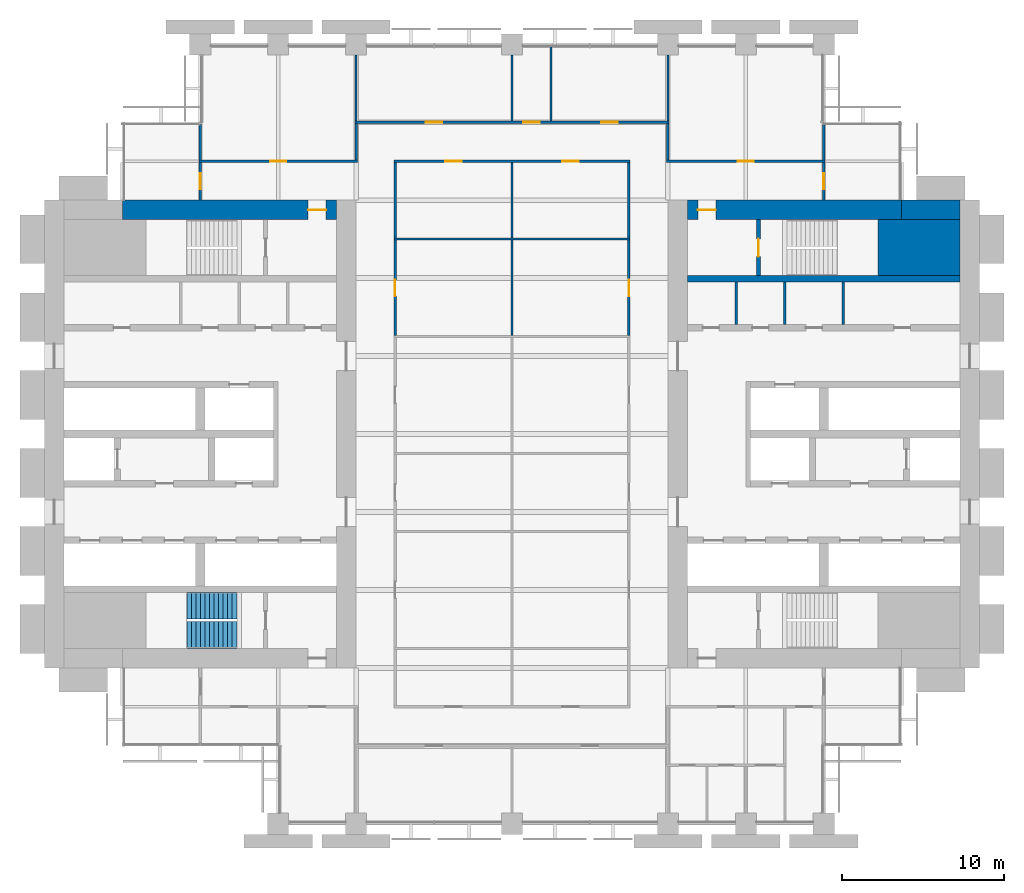
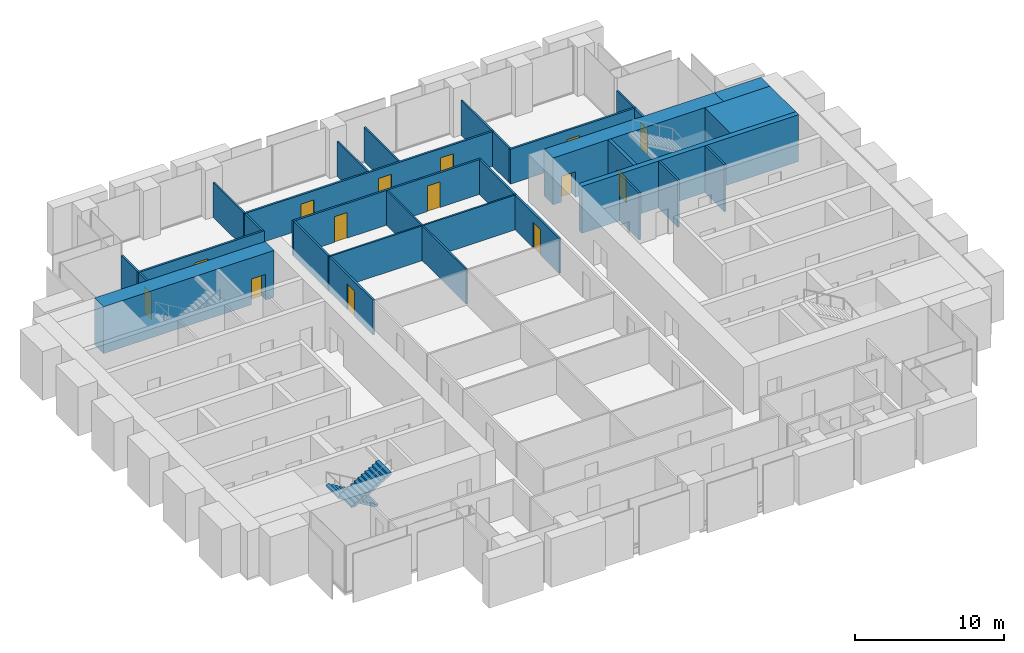
# One storey, part 12 of 14: 30 walls, 14 doors, 2 stair flights, 14 openings, 1 element without a shape of its own.
"""IFC4 building model written with IfcOpenShell, lengths in metres."""

from ifc_helpers import new_model, si_unit, direction, frame, frame_2d, origin, place, context, subcontext, project, spatial, polyline, rectangle, outline, extrude, material, layer, layer_set, type_object, element, fill, aggregate, save


model = new_model("IFC4")

# Units and contexts
model_context = context("Model", 3, precision=1e-05, world=origin(), true_north=direction((0.0, 1.0)))
body_context = subcontext(model_context, "Body", "Model", "MODEL_VIEW")
ifc_project = project(units=[si_unit("LENGTHUNIT", "METRE"), si_unit("AREAUNIT", "SQUARE_METRE"), si_unit("VOLUMEUNIT", "CUBIC_METRE"), si_unit("PLANEANGLEUNIT", "RADIAN"), si_unit("MASSUNIT", "GRAM", prefix="KILO")], contexts=[model_context])

# Site, building, storey
site_placement = place(None, origin())
site = spatial("IfcSite", under=ifc_project, at=site_placement, CompositionType="ELEMENT")
building_placement = place(site_placement, origin())
building = spatial("IfcBuilding", under=site, at=building_placement, Name="Baori Bourse Tower", CompositionType="ELEMENT")
storey_placement = place(building_placement, frame((0.0, 0.0, 55.0)))
storey = spatial("IfcBuildingStorey", under=building, at=storey_placement, Name="L11", CompositionType="ELEMENT", Elevation=55.0)

# Walls
ifc_material_1 = material(Name="Concrete f'c 70 MPa", Category="concrete")
wall_type_1 = type_object("IfcWallType", Name="Core corner block f'c 70", PredefinedType="SHEAR", material=ifc_material_1)
wall_1_placement = place(storey_placement, frame((51.35009765625, 35.47509765625, 0.0), z_axis=(0.0, 0.0, 1.0), x_axis=(1.0, 0.0, 0.0)))
element("IfcWall", 1, at=wall_1_placement, inside=storey, type_object=wall_type_1, Name="Core wall E22", PredefinedType="SHEAR", context=body_context, shape_type="SweptSolid", body=[
    extrude(rectangle(XDim=5.0498046875, YDim=3.449951171875, at=frame_2d((2.52490234375, 0.0))), origin(), (0.0, 0.0, 1.0), 3.840087890625),
])
ifc_material_2 = material(Name="Blockwork partition", Category="masonry")
ifc_layer_1 = layer(ifc_material_2, 0.14990234375)
ifc_layer_set_1 = layer_set([ifc_layer_1], Name="Core partition 150")
wall_type_2 = type_object("IfcWallType", Name="Core partition 150", PredefinedType="PARTITIONING", material=ifc_layer_set_1)
for number, where, z_axis, x_axis, name in (
    (2, (49.199951171875, 30.75, 0.0), (0.0, 0.0, 1.0), (0.0, 1.0, 0.0), "Partition wall E18"),
    (3, (45.60009765625, 30.75, 0.0), (0.0, 0.0, 1.0), (0.0, 1.0, 0.0), "Partition wall E19"),
    (4, (42.60009765625, 30.75, 0.0), (0.0, 0.0, 1.0), (0.0, 1.0, 0.0), "Partition wall E20"),
):
    element("IfcWall", number, at=place(storey_placement, frame(where, z_axis=z_axis, x_axis=x_axis)), inside=storey, type_object=wall_type_2, Name=name, PredefinedType="PARTITIONING", context=body_context, shape_type="SweptSolid", body=[
        extrude(rectangle(XDim=2.60009765625, YDim=0.14990234375, at=frame_2d((1.300048828125, 0.0))), origin(), (0.0, 0.0, 1.0), 3.840087890625),
    ])

# Wall, opening, door
ifc_material_3 = material(Name="Concrete f'c 70 MPa", Category="concrete")
ifc_layer_2 = layer(ifc_material_3, 1.199951171875)
ifc_layer_set_2 = layer_set([ifc_layer_2], Name="Core wall 1200 f'c 70")
wall_type_3 = type_object("IfcWallType", Name="Core wall 1200 f'c 70", PredefinedType="SHEAR", material=ifc_layer_set_2)
wall_2_placement = place(storey_placement, frame((4.800048828125, 37.800048828125, 0.0), z_axis=(0.0, 0.0, 1.0), x_axis=(1.0, 0.0, 0.0)))
wall_2 = element("IfcWall", 5, at=wall_2_placement, inside=storey, type_object=wall_type_3, Name="Core wall W25", PredefinedType="SHEAR", context=body_context, shape_type="SweptSolid", body=[
    extrude(rectangle(XDim=13.199951171875, YDim=1.199951171875, at=frame_2d((6.60009765625, 0.0))), origin(), (0.0, 0.0, 1.0), 3.840087890625),
])
opening_1_placement = place(wall_2_placement, frame((11.449951171875, 0.0, 0.0)))
opening_1 = element("IfcOpeningElement", 6, at=opening_1_placement, cuts=wall_2, Name="Opening L11-D104", PredefinedType="OPENING", context=body_context, shape_type="SweptSolid", body=[
    extrude(rectangle(XDim=1.10009765625, YDim=2.10009765625, at=frame_2d((0.550048828125, 1.050048828125))), frame((0.0, 0.60986328125, 0.0), z_axis=(0.0, -1.0, 0.0), x_axis=(1.0, 0.0, 0.0)), (0.0, 0.0, 1.0), 1.219970703125),
])
ifc_material_4 = material(Name="Painted steel door", Category="steel")
door_type_1 = type_object("IfcDoorType", Name="Stair door 1100", OperationType="SINGLE_SWING_LEFT", PredefinedType="DOOR", material=ifc_material_4)
door_1_placement = place(opening_1_placement, origin())
door_1 = element("IfcDoor", 7, at=door_1_placement, inside=storey, type_object=door_type_1, Name="Stair vestibule door B W L11", OperationType="SINGLE_SWING_LEFT", OverallHeight=2.10009765625, OverallWidth=1.10009765625, PredefinedType="DOOR", context=body_context, shape_type="SweptSolid", body=[
    extrude(rectangle(XDim=1.10009765625, YDim=2.10009765625, at=frame_2d((0.550048828125, 1.050048828125))), frame((0.0, 0.02490234375, 0.0), z_axis=(0.0, -1.0, 0.0), x_axis=(1.0, 0.0, 0.0)), (0.0, 0.0, 1.0), 0.050048828125),
])
fill(opening_1, door_1)

# Wall
wall_3_placement = place(storey_placement, frame((52.800048828125, 37.800048828125, 0.0), z_axis=(0.0, 0.0, 1.0), x_axis=(1.0, 0.0, 0.0)))
element("IfcWall", 8, at=wall_3_placement, inside=storey, type_object=wall_type_3, Name="Core wall E24", PredefinedType="SHEAR", context=body_context, shape_type="SweptSolid", body=[
    extrude(rectangle(XDim=3.599853515625, YDim=1.199951171875, at=frame_2d((1.7998046875, 0.0))), origin(), (0.0, 0.0, 1.0), 3.840087890625),
])

# Wall, opening, door
wall_4_placement = place(storey_placement, frame((39.60009765625, 37.800048828125, 0.0), z_axis=(0.0, 0.0, 1.0), x_axis=(1.0, 0.0, 0.0)))
wall_4 = element("IfcWall", 9, at=wall_4_placement, inside=storey, type_object=wall_type_3, Name="Core wall E25", PredefinedType="SHEAR", context=body_context, shape_type="SweptSolid", body=[
    extrude(rectangle(XDim=13.199951171875, YDim=1.199951171875, at=frame_2d((6.60009765625, 0.0))), origin(), (0.0, 0.0, 1.0), 3.840087890625),
])
opening_2_placement = place(wall_4_placement, frame((0.64990234375, 0.0, 0.0)))
opening_2 = element("IfcOpeningElement", 10, at=opening_2_placement, cuts=wall_4, Name="Opening L11-D204", PredefinedType="OPENING", context=body_context, shape_type="SweptSolid", body=[
    extrude(rectangle(XDim=1.10009765625, YDim=2.10009765625, at=frame_2d((0.550048828125, 1.050048828125))), frame((0.0, 0.60986328125, 0.0), z_axis=(0.0, -1.0, 0.0), x_axis=(1.0, 0.0, 0.0)), (0.0, 0.0, 1.0), 1.219970703125),
])
door_2_placement = place(opening_2_placement, origin())
door_2 = element("IfcDoor", 11, at=door_2_placement, inside=storey, type_object=door_type_1, Name="Stair vestibule door B E L11", OperationType="SINGLE_SWING_LEFT", OverallHeight=2.10009765625, OverallWidth=1.10009765625, PredefinedType="DOOR", context=body_context, shape_type="SweptSolid", body=[
    extrude(rectangle(XDim=1.10009765625, YDim=2.10009765625, at=frame_2d((0.550048828125, 1.050048828125))), frame((0.0, 0.02490234375, 0.0), z_axis=(0.0, -1.0, 0.0), x_axis=(1.0, 0.0, 0.0)), (0.0, 0.0, 1.0), 0.050048828125),
])
fill(opening_2, door_2)

ifc_material_5 = material(Name="Gypsum board partition")
ifc_layer_3 = layer(ifc_material_5, 0.14990234375)
ifc_layer_set_3 = layer_set([ifc_layer_3], Name="Corridor partition 150")
wall_type_4 = type_object("IfcWallType", Name="Corridor partition 150", PredefinedType="PARTITIONING", material=ifc_layer_set_3)
wall_5_placement = place(storey_placement, frame((9.52490234375, 40.800048828125, 0.0), z_axis=(0.0, 0.0, 1.0), x_axis=(1.0, 0.0, 0.0)))
wall_5 = element("IfcWall", 12, at=wall_5_placement, inside=storey, type_object=wall_type_4, Name="Partition", PredefinedType="PARTITIONING", context=body_context, shape_type="SweptSolid", body=[
    extrude(rectangle(XDim=9.75, YDim=0.14990234375, at=frame_2d((4.875, 0.0))), origin(), (0.0, 0.0, 1.0), 2.849365234375),
])
opening_3_placement = place(wall_5_placement, frame((4.375, 0.0, 0.0)))
opening_3 = element("IfcOpeningElement", 13, at=opening_3_placement, cuts=wall_5, Name="Opening L11-D12", PredefinedType="OPENING", context=body_context, shape_type="SweptSolid", body=[
    extrude(rectangle(XDim=1.0, YDim=2.10009765625, at=frame_2d((0.5, 1.050048828125))), frame((0.0, 0.0849609375, 0.0), z_axis=(0.0, -1.0, 0.0), x_axis=(1.0, 0.0, 0.0)), (0.0, 0.0, 1.0), 0.169921875),
])
ifc_material_6 = material(Name="Timber door leaf", Category="wood")
door_type_2 = type_object("IfcDoorType", Name="Door 1000 x 2100", OperationType="SINGLE_SWING_LEFT", PredefinedType="DOOR", material=ifc_material_6)
door_3_placement = place(opening_3_placement, origin())
door_3 = element("IfcDoor", 14, at=door_3_placement, inside=storey, type_object=door_type_2, Name="Door", OperationType="SINGLE_SWING_LEFT", OverallHeight=2.10009765625, OverallWidth=1.0, PredefinedType="DOOR", context=body_context, shape_type="SweptSolid", body=[
    extrude(rectangle(XDim=1.0, YDim=2.10009765625, at=frame_2d((0.5, 1.050048828125))), frame((0.0, 0.02490234375, 0.0), z_axis=(0.0, -1.0, 0.0), x_axis=(1.0, 0.0, 0.0)), (0.0, 0.0, 1.0), 0.050048828125),
])
fill(opening_3, door_3)

# Wall, openings, doors
wall_6_placement = place(storey_placement, frame((21.52490234375, 40.800048828125, 0.0), z_axis=(0.0, 0.0, 1.0), x_axis=(1.0, 0.0, 0.0)))
wall_6 = element("IfcWall", 15, at=wall_6_placement, inside=storey, type_object=wall_type_4, Name="Partition", PredefinedType="PARTITIONING", context=body_context, shape_type="SweptSolid", body=[
    extrude(rectangle(XDim=14.550048828125, YDim=0.14990234375, at=frame_2d((7.27490234375, 0.0))), origin(), (0.0, 0.0, 1.0), 2.849365234375),
])
opening_4_placement = place(wall_6_placement, frame((3.175048828125, 0.0, 0.0)))
opening_4 = element("IfcOpeningElement", 16, at=opening_4_placement, cuts=wall_6, Name="Opening L11-D13", PredefinedType="OPENING", context=body_context, shape_type="SweptSolid", body=[
    extrude(rectangle(XDim=1.0, YDim=2.10009765625, at=frame_2d((0.5, 1.050048828125))), frame((0.0, 0.0849609375, 0.0), z_axis=(0.0, -1.0, 0.0), x_axis=(1.0, 0.0, 0.0)), (0.0, 0.0, 1.0), 0.169921875),
])
opening_5_placement = place(wall_6_placement, frame((10.375, 0.0, 0.0)))
opening_5 = element("IfcOpeningElement", 17, at=opening_5_placement, cuts=wall_6, Name="Opening L11-D14", PredefinedType="OPENING", context=body_context, shape_type="SweptSolid", body=[
    extrude(rectangle(XDim=1.0, YDim=2.10009765625, at=frame_2d((0.5, 1.050048828125))), frame((0.0, 0.0849609375, 0.0), z_axis=(0.0, -1.0, 0.0), x_axis=(1.0, 0.0, 0.0)), (0.0, 0.0, 1.0), 0.169921875),
])
door_4_placement = place(opening_4_placement, origin())
door_4 = element("IfcDoor", 18, at=door_4_placement, inside=storey, type_object=door_type_2, Name="Door", OperationType="SINGLE_SWING_LEFT", OverallHeight=2.10009765625, OverallWidth=1.0, PredefinedType="DOOR", context=body_context, shape_type="SweptSolid", body=[
    extrude(rectangle(XDim=1.0, YDim=2.10009765625, at=frame_2d((0.5, 1.050048828125))), frame((0.0, 0.02490234375, 0.0), z_axis=(0.0, -1.0, 0.0), x_axis=(1.0, 0.0, 0.0)), (0.0, 0.0, 1.0), 0.050048828125),
])
fill(opening_4, door_4)
door_5_placement = place(opening_5_placement, origin())
door_5 = element("IfcDoor", 19, at=door_5_placement, inside=storey, type_object=door_type_2, Name="Door", OperationType="SINGLE_SWING_RIGHT", OverallHeight=2.10009765625, OverallWidth=1.0, PredefinedType="DOOR", context=body_context, shape_type="SweptSolid", body=[
    extrude(rectangle(XDim=1.0, YDim=2.10009765625, at=frame_2d((0.5, 1.050048828125))), frame((0.0, 0.02490234375, 0.0), z_axis=(0.0, -1.0, 0.0), x_axis=(1.0, 0.0, 0.0)), (0.0, 0.0, 1.0), 0.050048828125),
])
fill(opening_5, door_5)

# Wall, opening, door
wall_7_placement = place(storey_placement, frame((38.324951171875, 40.800048828125, 0.0), z_axis=(0.0, 0.0, 1.0), x_axis=(1.0, 0.0, 0.0)))
wall_7 = element("IfcWall", 20, at=wall_7_placement, inside=storey, type_object=wall_type_4, Name="Partition", PredefinedType="PARTITIONING", context=body_context, shape_type="SweptSolid", body=[
    extrude(rectangle(XDim=9.75, YDim=0.14990234375, at=frame_2d((4.875, 0.0))), origin(), (0.0, 0.0, 1.0), 2.849365234375),
])
opening_6_placement = place(wall_7_placement, frame((4.375, 0.0, 0.0)))
opening_6 = element("IfcOpeningElement", 21, at=opening_6_placement, cuts=wall_7, Name="Opening L11-D15", PredefinedType="OPENING", context=body_context, shape_type="SweptSolid", body=[
    extrude(rectangle(XDim=1.0, YDim=2.10009765625, at=frame_2d((0.5, 1.050048828125))), frame((0.0, 0.0849609375, 0.0), z_axis=(0.0, -1.0, 0.0), x_axis=(1.0, 0.0, 0.0)), (0.0, 0.0, 1.0), 0.169921875),
])
door_6_placement = place(opening_6_placement, origin())
door_6 = element("IfcDoor", 22, at=door_6_placement, inside=storey, type_object=door_type_2, Name="Door", OperationType="SINGLE_SWING_RIGHT", OverallHeight=2.10009765625, OverallWidth=1.0, PredefinedType="DOOR", context=body_context, shape_type="SweptSolid", body=[
    extrude(rectangle(XDim=1.0, YDim=2.10009765625, at=frame_2d((0.5, 1.050048828125))), frame((0.0, 0.02490234375, 0.0), z_axis=(0.0, -1.0, 0.0), x_axis=(1.0, 0.0, 0.0)), (0.0, 0.0, 1.0), 0.050048828125),
])
fill(opening_6, door_6)

# Wall, openings, doors
wall_8_placement = place(storey_placement, frame((19.125, 43.199951171875, 0.0), z_axis=(0.0, 0.0, 1.0), x_axis=(1.0, 0.0, 0.0)))
wall_8 = element("IfcWall", 23, at=wall_8_placement, inside=storey, type_object=wall_type_4, Name="Partition", PredefinedType="PARTITIONING", context=body_context, shape_type="SweptSolid", body=[
    extrude(rectangle(XDim=19.35009765625, YDim=0.14990234375, at=frame_2d((9.675048828125, 0.0))), origin(), (0.0, 0.0, 1.0), 2.849365234375),
])
opening_7_placement = place(wall_8_placement, frame((4.375, 0.0, 0.0)))
opening_7 = element("IfcOpeningElement", 24, at=opening_7_placement, cuts=wall_8, Name="Opening L11-D16", PredefinedType="OPENING", context=body_context, shape_type="SweptSolid", body=[
    extrude(rectangle(XDim=1.0, YDim=2.10009765625, at=frame_2d((0.5, 1.050048828125))), frame((0.0, 0.0849609375, 0.0), z_axis=(0.0, -1.0, 0.0), x_axis=(1.0, 0.0, 0.0)), (0.0, 0.0, 1.0), 0.169921875),
])
opening_8_placement = place(wall_8_placement, frame((10.375, 0.0, 0.0)))
opening_8 = element("IfcOpeningElement", 25, at=opening_8_placement, cuts=wall_8, Name="Opening L11-D17", PredefinedType="OPENING", context=body_context, shape_type="SweptSolid", body=[
    extrude(rectangle(XDim=1.0, YDim=2.10009765625, at=frame_2d((0.5, 1.050048828125))), frame((0.0, 0.0849609375, 0.0), z_axis=(0.0, -1.0, 0.0), x_axis=(1.0, 0.0, 0.0)), (0.0, 0.0, 1.0), 0.169921875),
])
opening_9_placement = place(wall_8_placement, frame((15.175048828125, 0.0, 0.0)))
opening_9 = element("IfcOpeningElement", 26, at=opening_9_placement, cuts=wall_8, Name="Opening L11-D18", PredefinedType="OPENING", context=body_context, shape_type="SweptSolid", body=[
    extrude(rectangle(XDim=1.0, YDim=2.10009765625, at=frame_2d((0.5, 1.050048828125))), frame((0.0, 0.0849609375, 0.0), z_axis=(0.0, -1.0, 0.0), x_axis=(1.0, 0.0, 0.0)), (0.0, 0.0, 1.0), 0.169921875),
])
door_7_placement = place(opening_7_placement, origin())
door_7 = element("IfcDoor", 27, at=door_7_placement, inside=storey, type_object=door_type_2, Name="Door", OperationType="SINGLE_SWING_RIGHT", OverallHeight=2.10009765625, OverallWidth=1.0, PredefinedType="DOOR", context=body_context, shape_type="SweptSolid", body=[
    extrude(rectangle(XDim=1.0, YDim=2.10009765625, at=frame_2d((0.5, 1.050048828125))), frame((0.0, 0.02490234375, 0.0), z_axis=(0.0, -1.0, 0.0), x_axis=(1.0, 0.0, 0.0)), (0.0, 0.0, 1.0), 0.050048828125),
])
fill(opening_7, door_7)
door_8_placement = place(opening_8_placement, origin())
door_8 = element("IfcDoor", 28, at=door_8_placement, inside=storey, type_object=door_type_2, Name="Door", OperationType="SINGLE_SWING_LEFT", OverallHeight=2.10009765625, OverallWidth=1.0, PredefinedType="DOOR", context=body_context, shape_type="SweptSolid", body=[
    extrude(rectangle(XDim=1.0, YDim=2.10009765625, at=frame_2d((0.5, 1.050048828125))), frame((0.0, 0.02490234375, 0.0), z_axis=(0.0, -1.0, 0.0), x_axis=(1.0, 0.0, 0.0)), (0.0, 0.0, 1.0), 0.050048828125),
])
fill(opening_8, door_8)
door_9_placement = place(opening_9_placement, origin())
door_9 = element("IfcDoor", 29, at=door_9_placement, inside=storey, type_object=door_type_2, Name="Door", OperationType="SINGLE_SWING_LEFT", OverallHeight=2.10009765625, OverallWidth=1.0, PredefinedType="DOOR", context=body_context, shape_type="SweptSolid", body=[
    extrude(rectangle(XDim=1.0, YDim=2.10009765625, at=frame_2d((0.5, 1.050048828125))), frame((0.0, 0.02490234375, 0.0), z_axis=(0.0, -1.0, 0.0), x_axis=(1.0, 0.0, 0.0)), (0.0, 0.0, 1.0), 0.050048828125),
])
fill(opening_9, door_9)

# Wall, opening, door
wall_9_placement = place(storey_placement, frame((9.60009765625, 38.39990234375, 0.0), z_axis=(0.0, 0.0, 1.0), x_axis=(0.0, 1.0, 0.0)))
wall_9 = element("IfcWall", 30, at=wall_9_placement, inside=storey, type_object=wall_type_4, Name="Partition", PredefinedType="PARTITIONING", context=body_context, shape_type="SweptSolid", body=[
    extrude(rectangle(XDim=2.3251953125, YDim=0.14990234375, at=frame_2d((1.16259765625, 0.0))), origin(), (0.0, 0.0, 1.0), 2.849365234375),
])
opening_10_placement = place(wall_9_placement, frame((0.66259765625, 0.0, 0.0)))
opening_10 = element("IfcOpeningElement", 31, at=opening_10_placement, cuts=wall_9, Name="Opening L11-D20", PredefinedType="OPENING", context=body_context, shape_type="SweptSolid", body=[
    extrude(rectangle(XDim=1.0, YDim=2.10009765625, at=frame_2d((0.5, 1.050048828125))), frame((0.0, 0.0849609375, 0.0), z_axis=(0.0, -1.0, 0.0), x_axis=(1.0, 0.0, 0.0)), (0.0, 0.0, 1.0), 0.169921875),
])
door_10_placement = place(opening_10_placement, origin())
door_10 = element("IfcDoor", 32, at=door_10_placement, inside=storey, type_object=door_type_2, Name="Door", OperationType="SINGLE_SWING_RIGHT", OverallHeight=2.10009765625, OverallWidth=1.0, PredefinedType="DOOR", context=body_context, shape_type="SweptSolid", body=[
    extrude(rectangle(XDim=1.0, YDim=2.10009765625, at=frame_2d((0.5, 1.050048828125))), frame((0.0, 0.02490234375, 0.0), z_axis=(0.0, -1.0, 0.0), x_axis=(1.0, 0.0, 0.0)), (0.0, 0.0, 1.0), 0.050048828125),
])
fill(opening_10, door_10)

# Wall
wall_10_placement = place(storey_placement, frame((19.199951171875, 40.875, 0.0), z_axis=(0.0, 0.0, 1.0), x_axis=(0.0, 1.0, 0.0)))
element("IfcWall", 33, at=wall_10_placement, inside=storey, type_object=wall_type_4, Name="Partition", PredefinedType="PARTITIONING", context=body_context, shape_type="SweptSolid", body=[
    extrude(rectangle(XDim=2.25, YDim=0.14990234375, at=frame_2d((1.125, 0.0))), origin(), (0.0, 0.0, 1.0), 2.849365234375),
])

# Wall, opening, door
wall_11_placement = place(storey_placement, frame((21.60009765625, 30.0625, 0.0), z_axis=(0.0, 0.0, 1.0), x_axis=(0.0, 1.0, 0.0)))
wall_11 = element("IfcWall", 34, at=wall_11_placement, inside=storey, type_object=wall_type_4, Name="Partition", PredefinedType="PARTITIONING", context=body_context, shape_type="SweptSolid", body=[
    extrude(rectangle(XDim=5.875, YDim=0.14990234375, at=frame_2d((2.9375, 0.0))), origin(), (0.0, 0.0, 1.0), 2.849365234375),
])
opening_11_placement = place(wall_11_placement, frame((2.4375, 0.0, 0.0)))
opening_11 = element("IfcOpeningElement", 35, at=opening_11_placement, cuts=wall_11, Name="Opening L11-D24", PredefinedType="OPENING", context=body_context, shape_type="SweptSolid", body=[
    extrude(rectangle(XDim=1.0, YDim=2.10009765625, at=frame_2d((0.5, 1.050048828125))), frame((0.0, 0.0849609375, 0.0), z_axis=(0.0, -1.0, 0.0), x_axis=(1.0, 0.0, 0.0)), (0.0, 0.0, 1.0), 0.169921875),
])
door_11_placement = place(opening_11_placement, origin())
door_11 = element("IfcDoor", 36, at=door_11_placement, inside=storey, type_object=door_type_2, Name="Door", OperationType="SINGLE_SWING_LEFT", OverallHeight=2.10009765625, OverallWidth=1.0, PredefinedType="DOOR", context=body_context, shape_type="SweptSolid", body=[
    extrude(rectangle(XDim=1.0, YDim=2.10009765625, at=frame_2d((0.5, 1.050048828125))), frame((0.0, 0.02490234375, 0.0), z_axis=(0.0, -1.0, 0.0), x_axis=(1.0, 0.0, 0.0)), (0.0, 0.0, 1.0), 0.050048828125),
])
fill(opening_11, door_11)

# Wall
wall_12_placement = place(storey_placement, frame((21.60009765625, 36.0625, 0.0), z_axis=(0.0, 0.0, 1.0), x_axis=(0.0, 1.0, 0.0)))
element("IfcWall", 37, at=wall_12_placement, inside=storey, type_object=wall_type_4, Name="Partition", PredefinedType="PARTITIONING", context=body_context, shape_type="SweptSolid", body=[
    extrude(rectangle(XDim=4.66259765625, YDim=0.14990234375, at=frame_2d((2.331298828125, 0.0))), origin(), (0.0, 0.0, 1.0), 2.849365234375),
])

# Wall, opening, door
wall_13_placement = place(storey_placement, frame((36.0, 30.0625, 0.0), z_axis=(0.0, 0.0, 1.0), x_axis=(0.0, 1.0, 0.0)))
wall_13 = element("IfcWall", 38, at=wall_13_placement, inside=storey, type_object=wall_type_4, Name="Partition", PredefinedType="PARTITIONING", context=body_context, shape_type="SweptSolid", body=[
    extrude(rectangle(XDim=5.875, YDim=0.14990234375, at=frame_2d((2.9375, 0.0))), origin(), (0.0, 0.0, 1.0), 2.849365234375),
])
opening_12_placement = place(wall_13_placement, frame((2.4375, 0.0, 0.0)))
opening_12 = element("IfcOpeningElement", 39, at=opening_12_placement, cuts=wall_13, Name="Opening L11-D28", PredefinedType="OPENING", context=body_context, shape_type="SweptSolid", body=[
    extrude(rectangle(XDim=1.0, YDim=2.10009765625, at=frame_2d((0.5, 1.050048828125))), frame((0.0, 0.0849609375, 0.0), z_axis=(0.0, -1.0, 0.0), x_axis=(1.0, 0.0, 0.0)), (0.0, 0.0, 1.0), 0.169921875),
])
door_12_placement = place(opening_12_placement, origin())
door_12 = element("IfcDoor", 40, at=door_12_placement, inside=storey, type_object=door_type_2, Name="Door", OperationType="SINGLE_SWING_RIGHT", OverallHeight=2.10009765625, OverallWidth=1.0, PredefinedType="DOOR", context=body_context, shape_type="SweptSolid", body=[
    extrude(rectangle(XDim=1.0, YDim=2.10009765625, at=frame_2d((0.5, 1.050048828125))), frame((0.0, 0.02490234375, 0.0), z_axis=(0.0, -1.0, 0.0), x_axis=(1.0, 0.0, 0.0)), (0.0, 0.0, 1.0), 0.050048828125),
])
fill(opening_12, door_12)

# Walls
wall_14_placement = place(storey_placement, frame((36.0, 36.0625, 0.0), z_axis=(0.0, 0.0, 1.0), x_axis=(0.0, 1.0, 0.0)))
element("IfcWall", 41, at=wall_14_placement, inside=storey, type_object=wall_type_4, Name="Partition", PredefinedType="PARTITIONING", context=body_context, shape_type="SweptSolid", body=[
    extrude(rectangle(XDim=4.66259765625, YDim=0.14990234375, at=frame_2d((2.331298828125, 0.0))), origin(), (0.0, 0.0, 1.0), 2.849365234375),
])
wall_15_placement = place(storey_placement, frame((38.39990234375, 40.875, 0.0), z_axis=(0.0, 0.0, 1.0), x_axis=(0.0, 1.0, 0.0)))
element("IfcWall", 42, at=wall_15_placement, inside=storey, type_object=wall_type_4, Name="Partition", PredefinedType="PARTITIONING", context=body_context, shape_type="SweptSolid", body=[
    extrude(rectangle(XDim=2.25, YDim=0.14990234375, at=frame_2d((1.125, 0.0))), origin(), (0.0, 0.0, 1.0), 2.849365234375),
])

# Wall, opening, door
wall_16_placement = place(storey_placement, frame((48.0, 38.39990234375, 0.0), z_axis=(0.0, 0.0, 1.0), x_axis=(0.0, 1.0, 0.0)))
wall_16 = element("IfcWall", 43, at=wall_16_placement, inside=storey, type_object=wall_type_4, Name="Partition", PredefinedType="PARTITIONING", context=body_context, shape_type="SweptSolid", body=[
    extrude(rectangle(XDim=2.3251953125, YDim=0.14990234375, at=frame_2d((1.16259765625, 0.0))), origin(), (0.0, 0.0, 1.0), 2.849365234375),
])
opening_13_placement = place(wall_16_placement, frame((0.66259765625, 0.0, 0.0)))
opening_13 = element("IfcOpeningElement", 44, at=opening_13_placement, cuts=wall_16, Name="Opening L11-D30", PredefinedType="OPENING", context=body_context, shape_type="SweptSolid", body=[
    extrude(rectangle(XDim=1.0, YDim=2.10009765625, at=frame_2d((0.5, 1.050048828125))), frame((0.0, 0.0849609375, 0.0), z_axis=(0.0, -1.0, 0.0), x_axis=(1.0, 0.0, 0.0)), (0.0, 0.0, 1.0), 0.169921875),
])
door_13_placement = place(opening_13_placement, origin())
door_13 = element("IfcDoor", 45, at=door_13_placement, inside=storey, type_object=door_type_2, Name="Door", OperationType="SINGLE_SWING_LEFT", OverallHeight=2.10009765625, OverallWidth=1.0, PredefinedType="DOOR", context=body_context, shape_type="SweptSolid", body=[
    extrude(rectangle(XDim=1.0, YDim=2.10009765625, at=frame_2d((0.5, 1.050048828125))), frame((0.0, 0.02490234375, 0.0), z_axis=(0.0, -1.0, 0.0), x_axis=(1.0, 0.0, 0.0)), (0.0, 0.0, 1.0), 0.050048828125),
])
fill(opening_13, door_13)

# Walls
ifc_material_7 = material(Name="Gypsum board partition")
ifc_layer_4 = layer(ifc_material_7, 0.125)
ifc_layer_set_4 = layer_set([ifc_layer_4], Name="Partition 125")
wall_type_5 = type_object("IfcWallType", Name="Partition 125", PredefinedType="PARTITIONING", material=ifc_layer_set_4)
wall_17_placement = place(storey_placement, frame((21.52490234375, 36.0, 0.0), z_axis=(0.0, 0.0, 1.0), x_axis=(1.0, 0.0, 0.0)))
element("IfcWall", 46, at=wall_17_placement, inside=storey, type_object=wall_type_5, Name="Partition", PredefinedType="PARTITIONING", context=body_context, shape_type="SweptSolid", body=[
    extrude(rectangle(XDim=14.550048828125, YDim=0.125, at=frame_2d((7.27490234375, 0.0))), origin(), (0.0, 0.0, 1.0), 2.849365234375),
])
wall_18_placement = place(storey_placement, frame((9.60009765625, 40.875, 0.0), z_axis=(0.0, 0.0, 1.0), x_axis=(0.0, 1.0, 0.0)))
element("IfcWall", 47, at=wall_18_placement, inside=storey, type_object=wall_type_5, Name="Partition", PredefinedType="PARTITIONING", context=body_context, shape_type="SweptSolid", body=[
    extrude(rectangle(XDim=2.22509765625, YDim=0.125, at=frame_2d((1.112548828125, 0.0))), origin(), (0.0, 0.0, 1.0), 2.849365234375),
])
wall_19_placement = place(storey_placement, frame((19.199951171875, 43.27490234375, 0.0), z_axis=(0.0, 0.0, 1.0), x_axis=(0.0, 1.0, 0.0)))
element("IfcWall", 48, at=wall_19_placement, inside=storey, type_object=wall_type_5, Name="Partition", PredefinedType="PARTITIONING", context=body_context, shape_type="SweptSolid", body=[
    extrude(rectangle(XDim=4.0751953125, YDim=0.125, at=frame_2d((2.03759765625, 0.0))), origin(), (0.0, 0.0, 1.0), 2.849365234375),
])
wall_20_placement = place(storey_placement, frame((28.800048828125, 30.0625, 0.0), z_axis=(0.0, 0.0, 1.0), x_axis=(0.0, 1.0, 0.0)))
element("IfcWall", 49, at=wall_20_placement, inside=storey, type_object=wall_type_5, Name="Partition", PredefinedType="PARTITIONING", context=body_context, shape_type="SweptSolid", body=[
    extrude(rectangle(XDim=5.875, YDim=0.125, at=frame_2d((2.9375, 0.0))), origin(), (0.0, 0.0, 1.0), 2.849365234375),
])
wall_21_placement = place(storey_placement, frame((28.800048828125, 36.0625, 0.0), z_axis=(0.0, 0.0, 1.0), x_axis=(0.0, 1.0, 0.0)))
element("IfcWall", 50, at=wall_21_placement, inside=storey, type_object=wall_type_5, Name="Partition", PredefinedType="PARTITIONING", context=body_context, shape_type="SweptSolid", body=[
    extrude(rectangle(XDim=4.66259765625, YDim=0.125, at=frame_2d((2.331298828125, 0.0))), origin(), (0.0, 0.0, 1.0), 2.849365234375),
])
wall_22_placement = place(storey_placement, frame((28.800048828125, 43.27490234375, 0.0), z_axis=(0.0, 0.0, 1.0), x_axis=(0.0, 1.0, 0.0)))
element("IfcWall", 51, at=wall_22_placement, inside=storey, type_object=wall_type_5, Name="Partition", PredefinedType="PARTITIONING", context=body_context, shape_type="SweptSolid", body=[
    extrude(rectangle(XDim=4.0751953125, YDim=0.125, at=frame_2d((2.03759765625, 0.0))), origin(), (0.0, 0.0, 1.0), 2.849365234375),
])
wall_23_placement = place(storey_placement, frame((31.199951171875, 43.27490234375, 0.0), z_axis=(0.0, 0.0, 1.0), x_axis=(0.0, 1.0, 0.0)))
element("IfcWall", 52, at=wall_23_placement, inside=storey, type_object=wall_type_5, Name="Partition", PredefinedType="PARTITIONING", context=body_context, shape_type="SweptSolid", body=[
    extrude(rectangle(XDim=4.625, YDim=0.125, at=frame_2d((2.3125, 0.0))), origin(), (0.0, 0.0, 1.0), 2.849365234375),
])
wall_24_placement = place(storey_placement, frame((38.39990234375, 43.27490234375, 0.0), z_axis=(0.0, 0.0, 1.0), x_axis=(0.0, 1.0, 0.0)))
element("IfcWall", 53, at=wall_24_placement, inside=storey, type_object=wall_type_5, Name="Partition", PredefinedType="PARTITIONING", context=body_context, shape_type="SweptSolid", body=[
    extrude(rectangle(XDim=4.0751953125, YDim=0.125, at=frame_2d((2.03759765625, 0.0))), origin(), (0.0, 0.0, 1.0), 2.849365234375),
])
wall_25_placement = place(storey_placement, frame((48.0, 40.875, 0.0), z_axis=(0.0, 0.0, 1.0), x_axis=(0.0, 1.0, 0.0)))
element("IfcWall", 54, at=wall_25_placement, inside=storey, type_object=wall_type_5, Name="Partition", PredefinedType="PARTITIONING", context=body_context, shape_type="SweptSolid", body=[
    extrude(rectangle(XDim=2.22509765625, YDim=0.125, at=frame_2d((1.112548828125, 0.0))), origin(), (0.0, 0.0, 1.0), 2.849365234375),
])

# Wall, opening, door
ifc_material_8 = material(Name="Concrete f'c 70 MPa", Category="concrete")
ifc_layer_5 = layer(ifc_material_8, 0.25)
ifc_layer_set_5 = layer_set([ifc_layer_5], Name="Shaft wall 250 f'c 70")
wall_type_6 = type_object("IfcWallType", Name="Shaft wall 250 f'c 70", PredefinedType="SHEAR", material=ifc_layer_set_5)
wall_26_placement = place(storey_placement, frame((43.97509765625, 33.75, 0.0), z_axis=(0.0, 0.0, 1.0), x_axis=(0.0, 1.0, 0.0)))
wall_26 = element("IfcWall", 55, at=wall_26_placement, inside=storey, type_object=wall_type_6, Name="Core wall E23", PredefinedType="SHEAR", context=body_context, shape_type="SweptSolid", body=[
    extrude(rectangle(XDim=3.449951171875, YDim=0.25, at=frame_2d((1.72509765625, 0.0))), origin(), (0.0, 0.0, 1.0), 3.840087890625),
])
opening_14_placement = place(wall_26_placement, frame((1.175048828125, 0.0, 0.0)))
opening_14 = element("IfcOpeningElement", 56, at=opening_14_placement, cuts=wall_26, Name="Opening L11-D203", PredefinedType="OPENING", context=body_context, shape_type="SweptSolid", body=[
    extrude(rectangle(XDim=1.10009765625, YDim=2.10009765625, at=frame_2d((0.550048828125, 1.050048828125))), frame((0.0, 0.135009765625, 0.0), z_axis=(0.0, -1.0, 0.0), x_axis=(1.0, 0.0, 0.0)), (0.0, 0.0, 1.0), 0.27001953125),
])
door_14_placement = place(opening_14_placement, origin())
door_14 = element("IfcDoor", 57, at=door_14_placement, inside=storey, type_object=door_type_1, Name="Stair door B E L11", OperationType="SINGLE_SWING_LEFT", OverallHeight=2.10009765625, OverallWidth=1.10009765625, PredefinedType="DOOR", context=body_context, shape_type="SweptSolid", body=[
    extrude(rectangle(XDim=1.10009765625, YDim=2.10009765625, at=frame_2d((0.550048828125, 1.050048828125))), frame((0.0, 0.02490234375, 0.0), z_axis=(0.0, -1.0, 0.0), x_axis=(1.0, 0.0, 0.0)), (0.0, 0.0, 1.0), 0.050048828125),
])
fill(opening_14, door_14)

# Wall
ifc_material_9 = material(Name="Concrete f'c 70 MPa", Category="concrete")
ifc_layer_6 = layer(ifc_material_9, 0.39990234375)
ifc_layer_set_6 = layer_set([ifc_layer_6], Name="Shaft wall 400 f'c 70")
wall_type_7 = type_object("IfcWallType", Name="Shaft wall 400 f'c 70", PredefinedType="SHEAR", material=ifc_layer_set_6)
wall_27_placement = place(storey_placement, frame((39.60009765625, 33.550048828125, 0.0), z_axis=(0.0, 0.0, 1.0), x_axis=(1.0, 0.0, 0.0)))
element("IfcWall", 58, at=wall_27_placement, inside=storey, type_object=wall_type_7, Name="Core wall E21", PredefinedType="SHEAR", context=body_context, shape_type="SweptSolid", body=[
    extrude(rectangle(XDim=16.7998046875, YDim=0.39990234375, at=frame_2d((8.39990234375, 0.0))), origin(), (0.0, 0.0, 1.0), 3.840087890625),
])

# Stair, stair flights
ifc_material_10 = material(Name="Concrete f'c 50 MPa", Category="concrete")
stair_type = type_object("IfcStairType", Name="Core stair", PredefinedType="HALF_TURN_STAIR", material=ifc_material_10)
stair_placement = place(storey_placement, origin())
stair = element("IfcStair", 59, at=stair_placement, inside=storey, type_object=stair_type, Name="L11 Stair WA", PredefinedType="HALF_TURN_STAIR")
ifc_material_11 = material(Name="Concrete f'c 50 MPa", Category="concrete")
stair_flight_type = type_object("IfcStairFlightType", Name="Core stair flight", PredefinedType="STRAIGHT", material=ifc_material_11)
stair_flight_1_placement = place(storey_placement, frame((11.85009765625, 13.425048828125, 0.0), z_axis=(0.0, 0.0, 1.0), x_axis=(-1.0, 0.0, 0.0)))
stair_flight_1 = element("IfcStairFlight", 60, at=stair_flight_1_placement, type_object=stair_flight_type, Name="ST1 flight 1", NumberOfRisers=12, NumberOfTreads=11, PredefinedType="STRAIGHT", RiserHeight=0.166666667, TreadLength=0.28, context=body_context, shape_type="SweptSolid", body=[
    extrude(outline(polyline([(0.0, 0.0), (0.0, 0.166748046875), (0.280029296875, 0.166748046875), (0.280029296875, 0.333251953125), (0.56005859375, 0.333251953125), (0.56005859375, 0.5), (0.840087890625, 0.5), (0.840087890625, 0.666748046875), (1.1201171875, 0.666748046875), (1.1201171875, 0.833251953125), (1.39990234375, 0.833251953125), (1.39990234375, 1.0), (1.679931640625, 1.0), (1.679931640625, 1.166748046875), (1.9599609375, 1.166748046875), (1.9599609375, 1.333251953125), (2.239990234375, 1.333251953125), (2.239990234375, 1.5), (2.52001953125, 1.5), (2.52001953125, 1.666748046875), (2.800048828125, 1.666748046875), (2.800048828125, 1.833251953125), (3.080078125, 1.833251953125), (3.080078125, 2.0), (3.080078125, 1.658935546875), (0.29296875, 0.0), (0.0, 0.0)])), frame((0.0, 0.824951171875, 0.0), z_axis=(0.0, -1.0, 0.0), x_axis=(1.0, 0.0, 0.0)), (0.0, 0.0, 1.0), 1.64990234375),
])
stair_flight_2_placement = place(storey_placement, frame((8.77001953125, 11.625, 2.0), z_axis=(0.0, 0.0, 1.0), x_axis=(1.0, 0.0, 0.0)))
stair_flight_2 = element("IfcStairFlight", 61, at=stair_flight_2_placement, type_object=stair_flight_type, Name="ST1 flight 2", NumberOfRisers=12, NumberOfTreads=11, PredefinedType="STRAIGHT", RiserHeight=0.166666667, TreadLength=0.28, context=body_context, shape_type="SweptSolid", body=[
    extrude(outline(polyline([(0.0, 0.0), (0.0, 0.166748046875), (0.280029296875, 0.166748046875), (0.280029296875, 0.333251953125), (0.56005859375, 0.333251953125), (0.56005859375, 0.5), (0.840087890625, 0.5), (0.840087890625, 0.666748046875), (1.1201171875, 0.666748046875), (1.1201171875, 0.833251953125), (1.39990234375, 0.833251953125), (1.39990234375, 1.0), (1.679931640625, 1.0), (1.679931640625, 1.166748046875), (1.9599609375, 1.166748046875), (1.9599609375, 1.333251953125), (2.239990234375, 1.333251953125), (2.239990234375, 1.5), (2.52001953125, 1.5), (2.52001953125, 1.666748046875), (2.800048828125, 1.666748046875), (2.800048828125, 1.833251953125), (3.080078125, 1.833251953125), (3.080078125, 2.0), (3.080078125, 1.658935546875), (0.29296875, 0.0), (0.0, 0.0)])), frame((0.0, 0.824951171875, 0.0), z_axis=(0.0, -1.0, 0.0), x_axis=(1.0, 0.0, 0.0)), (0.0, 0.0, 1.0), 1.64990234375),
])
aggregate(stair, [stair_flight_1, stair_flight_2])

save(model, "model.ifc")
